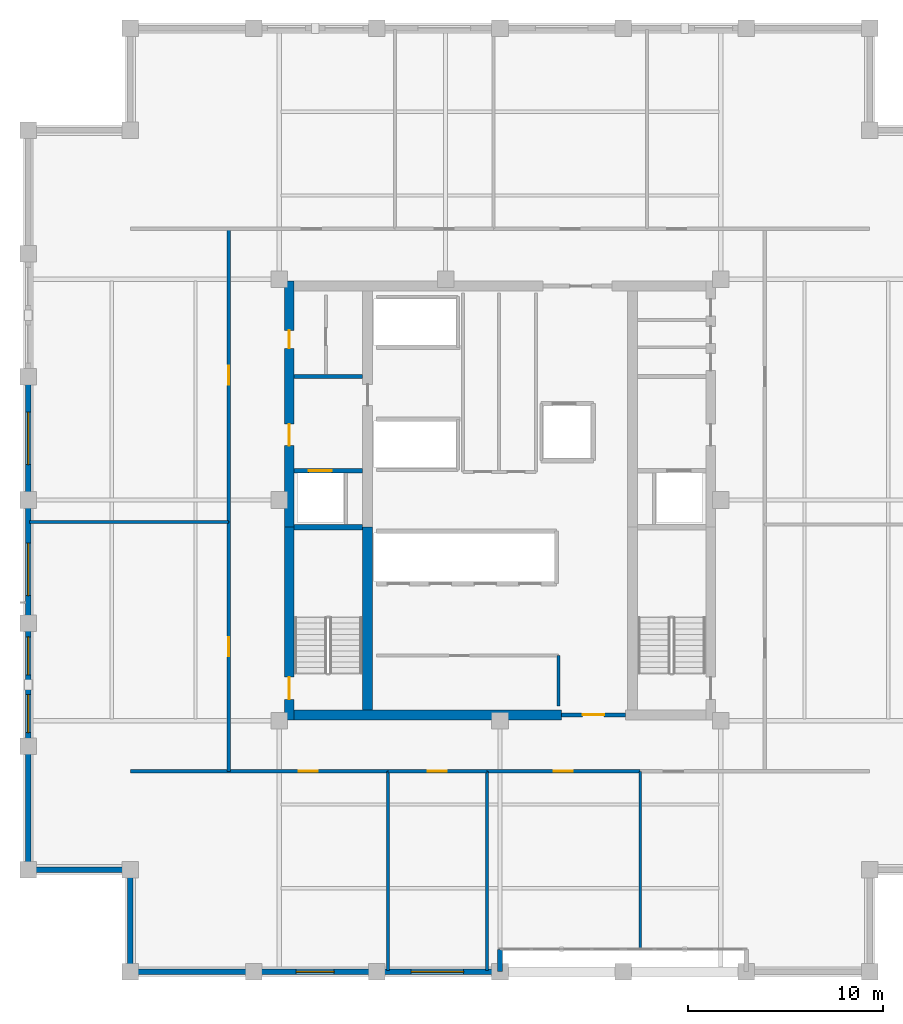
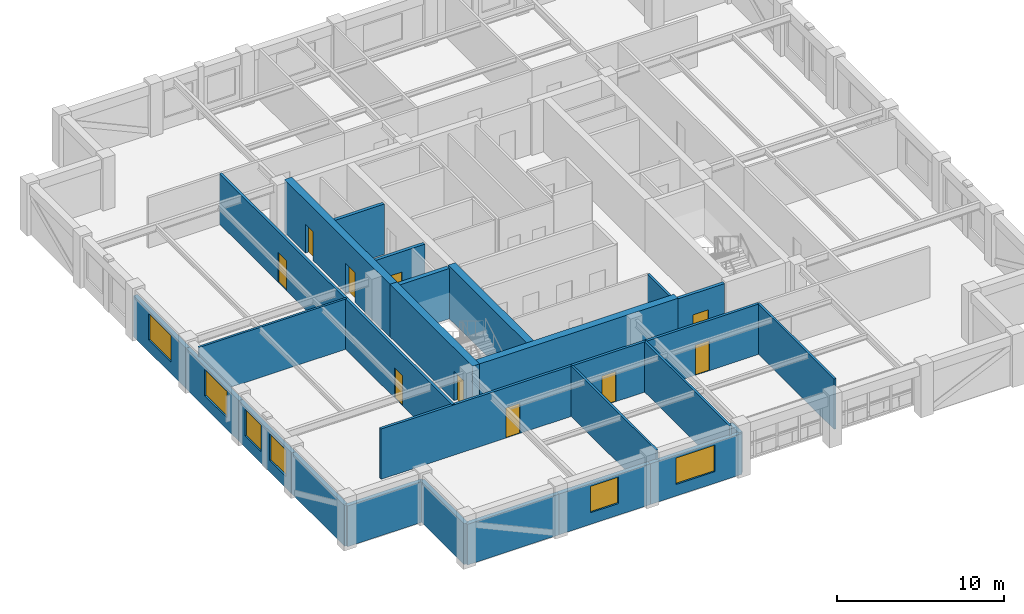
# One storey, part 9 of 13: 28 walls, 10 doors, 6 windows, 16 openings.
"""IFC4 building model written with IfcOpenShell, lengths in metres."""

from ifc_helpers import new_model, si_unit, direction, frame, frame_2d, origin, place, context, subcontext, project, spatial, rectangle, extrude, material, layer, layer_set, type_object, element, fill, save


model = new_model("IFC4")

# Units and contexts
model_context = context("Model", 3, precision=1e-05, world=origin(), true_north=direction((0.0, 1.0)))
body_context = subcontext(model_context, "Body", "Model", "MODEL_VIEW")
ifc_project = project(units=[si_unit("LENGTHUNIT", "METRE"), si_unit("AREAUNIT", "SQUARE_METRE"), si_unit("VOLUMEUNIT", "CUBIC_METRE"), si_unit("PLANEANGLEUNIT", "RADIAN"), si_unit("MASSUNIT", "GRAM", prefix="KILO")], contexts=[model_context])

# Site, building, storey
site_placement = place(None, origin())
site = spatial("IfcSite", under=ifc_project, at=site_placement, CompositionType="ELEMENT")
building_placement = place(site_placement, origin())
building = spatial("IfcBuilding", under=site, at=building_placement, Name="Nhamokura Convention Tower", CompositionType="ELEMENT")
storey_placement = place(building_placement, frame((0.0, 0.0, 206.14990234375)))
storey = spatial("IfcBuildingStorey", under=building, at=storey_placement, Name="L50", CompositionType="ELEMENT", Elevation=206.14990234375)

# Walls
ifc_material_1 = material(Name="Bronze-pigmented precast concrete C45/55", Category="concrete")
ifc_layer_1 = layer(ifc_material_1, 0.280029296875)
ifc_layer_set_1 = layer_set([ifc_layer_1], Name="BronzePrecastSpandrel_280")
wall_type_1 = type_object("IfcWallType", Name="BronzePrecastSpandrel_280", PredefinedType="USERDEFINED", material=ifc_layer_set_1)
wall_1_placement = place(storey_placement, frame((32.0, 7.75, 0.0), z_axis=(0.0, 0.0, 1.0), x_axis=(0.0, 1.0, 0.0)))
element("IfcWall", 1, at=wall_1_placement, inside=storey, type_object=wall_type_1, Name="L50 Scale Slot Cheek Wall SOUTHA", ObjectType="SPANDREL_WALL", PredefinedType="USERDEFINED", context=body_context, shape_type="SweptSolid", body=[
    extrude(rectangle(XDim=1.14990234375, YDim=0.239990234375, at=frame_2d((0.574951171875, 0.0))), origin(), (0.0, 0.0, 1.0), 2.985107421875),
])
wall_2_placement = place(storey_placement, frame((19.333251953125, 7.75, 0.0), z_axis=(0.0, 0.0, 1.0), x_axis=(-1.0, 0.0, 0.0)))
element("IfcWall", 2, at=wall_2_placement, inside=storey, type_object=wall_type_1, Name="L50 Braced-Bay Precast Wall SOUTH 0", ObjectType="SPANDREL_WALL", PredefinedType="USERDEFINED", context=body_context, shape_type="SweptSolid", body=[
    extrude(rectangle(XDim=6.333251953125, YDim=0.280029296875, at=frame_2d((3.16650390625, 0.0))), origin(), (0.0, 0.0, 1.0), 2.985107421875),
])

# Wall, opening, window
wall_3_placement = place(storey_placement, frame((25.666748046875, 7.75, 0.0), z_axis=(0.0, 0.0, 1.0), x_axis=(-1.0, 0.0, 0.0)))
wall_3 = element("IfcWall", 3, at=wall_3_placement, inside=storey, type_object=wall_type_1, Name="L50 Masonry-Frame Wall SOUTH 1", ObjectType="SPANDREL_WALL", PredefinedType="USERDEFINED", context=body_context, shape_type="SweptSolid", body=[
    extrude(rectangle(XDim=6.33349609375, YDim=0.280029296875, at=frame_2d((3.166748046875, 0.0))), origin(), (0.0, 0.0, 1.0), 2.985107421875),
])
opening_1_placement = place(wall_3_placement, frame((2.191650390625, 0.0, 0.85009765625)))
opening_1 = element("IfcOpeningElement", 4, at=opening_1_placement, cuts=wall_3, Name="Opening W-08", PredefinedType="OPENING", context=body_context, shape_type="SweptSolid", body=[
    extrude(rectangle(XDim=1.949951171875, YDim=1.93505859375, at=frame_2d((0.97509765625, 0.967529296875))), frame((0.0, 0.14990234375, 0.0), z_axis=(0.0, -1.0, 0.0), x_axis=(1.0, 0.0, 0.0)), (0.0, 0.0, 1.0), 0.300048828125),
])
ifc_material_2 = material(Name="Solar-control bronze low-E double glass", Category="glass")
window_type_1 = type_object("IfcWindowType", Name="OfficeModuleWindow_Z3_1950", PartitioningType="SINGLE_PANEL", PredefinedType="WINDOW", material=ifc_material_2)
window_1_placement = place(opening_1_placement, origin())
window_1 = element("IfcWindow", 5, at=window_1_placement, inside=storey, type_object=window_type_1, Name="L50 Facade Window SOUTH 1", OverallHeight=1.93505859375, OverallWidth=1.949951171875, PartitioningType="SINGLE_PANEL", PredefinedType="WINDOW", context=body_context, shape_type="SweptSolid", body=[
    extrude(rectangle(XDim=1.949951171875, YDim=1.93505859375, at=frame_2d((0.97509765625, 0.967529296875))), frame((0.0, 0.030029296875, 0.0), z_axis=(0.0, -1.0, 0.0), x_axis=(1.0, 0.0, 0.0)), (0.0, 0.0, 1.0), 0.06005859375),
])
fill(opening_1, window_1)

wall_4_placement = place(storey_placement, frame((32.0, 7.75, 0.0), z_axis=(0.0, 0.0, 1.0), x_axis=(-1.0, 0.0, 0.0)))
wall_4 = element("IfcWall", 6, at=wall_4_placement, inside=storey, type_object=wall_type_1, Name="L50 Masonry-Frame Wall SOUTH 2", ObjectType="SPANDREL_WALL", PredefinedType="USERDEFINED", context=body_context, shape_type="SweptSolid", body=[
    extrude(rectangle(XDim=6.333251953125, YDim=0.280029296875, at=frame_2d((3.16650390625, 0.0))), origin(), (0.0, 0.0, 1.0), 2.985107421875),
])
opening_2_placement = place(wall_4_placement, frame((1.86669921875, 0.0, 0.85009765625)))
opening_2 = element("IfcOpeningElement", 7, at=opening_2_placement, cuts=wall_4, Name="Opening W-07", PredefinedType="OPENING", context=body_context, shape_type="SweptSolid", body=[
    extrude(rectangle(XDim=2.699951171875, YDim=1.93505859375, at=frame_2d((1.35009765625, 0.967529296875))), frame((0.0, 0.14990234375, 0.0), z_axis=(0.0, -1.0, 0.0), x_axis=(1.0, 0.0, 0.0)), (0.0, 0.0, 1.0), 0.300048828125),
])
ifc_material_3 = material(Name="Solar-control bronze low-E double glass", Category="glass")
window_type_2 = type_object("IfcWindowType", Name="OfficeModuleWindow_Z3_2700", PartitioningType="DOUBLE_PANEL_VERTICAL", PredefinedType="WINDOW", material=ifc_material_3)
window_2_placement = place(opening_2_placement, origin())
window_2 = element("IfcWindow", 8, at=window_2_placement, inside=storey, type_object=window_type_2, Name="L50 Facade Window SOUTH 2", OverallHeight=1.93505859375, OverallWidth=2.699951171875, PartitioningType="SINGLE_PANEL", PredefinedType="WINDOW", context=body_context, shape_type="SweptSolid", body=[
    extrude(rectangle(XDim=2.699951171875, YDim=1.93505859375, at=frame_2d((1.35009765625, 0.967529296875))), frame((0.0, 0.030029296875, 0.0), z_axis=(0.0, -1.0, 0.0), x_axis=(1.0, 0.0, 0.0)), (0.0, 0.0, 1.0), 0.06005859375),
])
fill(opening_2, window_2)

# Wall
wall_5_placement = place(storey_placement, frame((7.75, 13.0, 0.0), z_axis=(0.0, 0.0, 1.0), x_axis=(0.0, 1.0, 0.0)))
element("IfcWall", 9, at=wall_5_placement, inside=storey, type_object=wall_type_1, Name="L50 Braced-Bay Precast Wall WEST 0", ObjectType="SPANDREL_WALL", PredefinedType="USERDEFINED", context=body_context, shape_type="SweptSolid", body=[
    extrude(rectangle(XDim=6.333251953125, YDim=0.280029296875, at=frame_2d((3.16650390625, 0.0))), origin(), (0.0, 0.0, 1.0), 2.985107421875),
])

# Wall, openings, windows
wall_6_placement = place(storey_placement, frame((7.75, 19.333251953125, 0.0), z_axis=(0.0, 0.0, 1.0), x_axis=(0.0, 1.0, 0.0)))
wall_6 = element("IfcWall", 10, at=wall_6_placement, inside=storey, type_object=wall_type_1, Name="L50 Masonry-Frame Wall WEST 1", ObjectType="SPANDREL_WALL", PredefinedType="USERDEFINED", context=body_context, shape_type="SweptSolid", body=[
    extrude(rectangle(XDim=6.33349609375, YDim=0.280029296875, at=frame_2d((3.166748046875, 0.0))), origin(), (0.0, 0.0, 1.0), 2.985107421875),
])
opening_3_placement = place(wall_6_placement, frame((0.708251953125, 0.0, 0.85009765625)))
opening_3 = element("IfcOpeningElement", 11, at=opening_3_placement, cuts=wall_6, Name="Opening W-08", PredefinedType="OPENING", context=body_context, shape_type="SweptSolid", body=[
    extrude(rectangle(XDim=1.949951171875, YDim=1.93505859375, at=frame_2d((0.97509765625, 0.967529296875))), frame((0.0, 0.14990234375, 0.0), z_axis=(0.0, -1.0, 0.0), x_axis=(1.0, 0.0, 0.0)), (0.0, 0.0, 1.0), 0.300048828125),
])
opening_4_placement = place(wall_6_placement, frame((3.675048828125, 0.0, 0.85009765625)))
opening_4 = element("IfcOpeningElement", 12, at=opening_4_placement, cuts=wall_6, Name="Opening W-08", PredefinedType="OPENING", context=body_context, shape_type="SweptSolid", body=[
    extrude(rectangle(XDim=1.949951171875, YDim=1.93505859375, at=frame_2d((0.97509765625, 0.967529296875))), frame((0.0, 0.14990234375, 0.0), z_axis=(0.0, -1.0, 0.0), x_axis=(1.0, 0.0, 0.0)), (0.0, 0.0, 1.0), 0.300048828125),
])
window_3_placement = place(opening_3_placement, origin())
window_3 = element("IfcWindow", 13, at=window_3_placement, inside=storey, type_object=window_type_1, Name="L50 Facade Window WEST 1-1", OverallHeight=1.93505859375, OverallWidth=1.949951171875, PartitioningType="SINGLE_PANEL", PredefinedType="WINDOW", context=body_context, shape_type="SweptSolid", body=[
    extrude(rectangle(XDim=1.949951171875, YDim=1.93505859375, at=frame_2d((0.97509765625, 0.967529296875))), frame((0.0, 0.030029296875, 0.0), z_axis=(0.0, -1.0, 0.0), x_axis=(1.0, 0.0, 0.0)), (0.0, 0.0, 1.0), 0.06005859375),
])
fill(opening_3, window_3)
window_4_placement = place(opening_4_placement, origin())
window_4 = element("IfcWindow", 14, at=window_4_placement, inside=storey, type_object=window_type_1, Name="L50 Facade Window WEST 1-2", OverallHeight=1.93505859375, OverallWidth=1.949951171875, PartitioningType="SINGLE_PANEL", PredefinedType="WINDOW", context=body_context, shape_type="SweptSolid", body=[
    extrude(rectangle(XDim=1.949951171875, YDim=1.93505859375, at=frame_2d((0.97509765625, 0.967529296875))), frame((0.0, 0.030029296875, 0.0), z_axis=(0.0, -1.0, 0.0), x_axis=(1.0, 0.0, 0.0)), (0.0, 0.0, 1.0), 0.06005859375),
])
fill(opening_4, window_4)

# Wall, opening, window
wall_7_placement = place(storey_placement, frame((7.75, 25.666748046875, 0.0), z_axis=(0.0, 0.0, 1.0), x_axis=(0.0, 1.0, 0.0)))
wall_7 = element("IfcWall", 15, at=wall_7_placement, inside=storey, type_object=wall_type_1, Name="L50 Masonry-Frame Wall WEST 2", ObjectType="SPANDREL_WALL", PredefinedType="USERDEFINED", context=body_context, shape_type="SweptSolid", body=[
    extrude(rectangle(XDim=6.333251953125, YDim=0.280029296875, at=frame_2d((3.16650390625, 0.0))), origin(), (0.0, 0.0, 1.0), 2.985107421875),
])
opening_5_placement = place(wall_7_placement, frame((1.416748046875, 0.0, 0.85009765625)))
opening_5 = element("IfcOpeningElement", 16, at=opening_5_placement, cuts=wall_7, Name="Opening W-07", PredefinedType="OPENING", context=body_context, shape_type="SweptSolid", body=[
    extrude(rectangle(XDim=2.699951171875, YDim=1.93505859375, at=frame_2d((1.35009765625, 0.967529296875))), frame((0.0, 0.14990234375, 0.0), z_axis=(0.0, -1.0, 0.0), x_axis=(1.0, 0.0, 0.0)), (0.0, 0.0, 1.0), 0.300048828125),
])
window_5_placement = place(opening_5_placement, origin())
window_5 = element("IfcWindow", 17, at=window_5_placement, inside=storey, type_object=window_type_2, Name="L50 Facade Window WEST 2-1", OverallHeight=1.93505859375, OverallWidth=2.699951171875, PartitioningType="SINGLE_PANEL", PredefinedType="WINDOW", context=body_context, shape_type="SweptSolid", body=[
    extrude(rectangle(XDim=2.699951171875, YDim=1.93505859375, at=frame_2d((1.35009765625, 0.967529296875))), frame((0.0, 0.030029296875, 0.0), z_axis=(0.0, -1.0, 0.0), x_axis=(1.0, 0.0, 0.0)), (0.0, 0.0, 1.0), 0.06005859375),
])
fill(opening_5, window_5)

wall_8_placement = place(storey_placement, frame((7.75, 32.0, 0.0), z_axis=(0.0, 0.0, 1.0), x_axis=(0.0, 1.0, 0.0)))
wall_8 = element("IfcWall", 18, at=wall_8_placement, inside=storey, type_object=wall_type_1, Name="L50 Masonry-Frame Wall WEST 3", ObjectType="SPANDREL_WALL", PredefinedType="USERDEFINED", context=body_context, shape_type="SweptSolid", body=[
    extrude(rectangle(XDim=6.333251953125, YDim=0.280029296875, at=frame_2d((3.16650390625, 0.0))), origin(), (0.0, 0.0, 1.0), 2.985107421875),
])
opening_6_placement = place(wall_8_placement, frame((1.816650390625, 0.0, 0.85009765625)))
opening_6 = element("IfcOpeningElement", 19, at=opening_6_placement, cuts=wall_8, Name="Opening W-07", PredefinedType="OPENING", context=body_context, shape_type="SweptSolid", body=[
    extrude(rectangle(XDim=2.699951171875, YDim=1.93505859375, at=frame_2d((1.35009765625, 0.967529296875))), frame((0.0, 0.14990234375, 0.0), z_axis=(0.0, -1.0, 0.0), x_axis=(1.0, 0.0, 0.0)), (0.0, 0.0, 1.0), 0.300048828125),
])
window_6_placement = place(opening_6_placement, origin())
window_6 = element("IfcWindow", 20, at=window_6_placement, inside=storey, type_object=window_type_2, Name="L50 Facade Window WEST 3", OverallHeight=1.93505859375, OverallWidth=2.699951171875, PartitioningType="SINGLE_PANEL", PredefinedType="WINDOW", context=body_context, shape_type="SweptSolid", body=[
    extrude(rectangle(XDim=2.699951171875, YDim=1.93505859375, at=frame_2d((1.35009765625, 0.967529296875))), frame((0.0, 0.030029296875, 0.0), z_axis=(0.0, -1.0, 0.0), x_axis=(1.0, 0.0, 0.0)), (0.0, 0.0, 1.0), 0.06005859375),
])
fill(opening_6, window_6)

# Walls
for number, where, z_axis, x_axis, name in (
    (21, (13.0, 7.75, 0.0), (0.0, 0.0, 1.0), (0.0, 1.0, 0.0), "L50 Notched Corner Wall SW1"),
    (22, (13.0, 13.0, 0.0), (0.0, 0.0, 1.0), (-1.0, 0.0, 0.0), "L50 Notched Corner Wall SW2"),
):
    element("IfcWall", number, at=place(storey_placement, frame(where, z_axis=z_axis, x_axis=x_axis)), inside=storey, type_object=wall_type_1, Name=name, ObjectType="SPANDREL_WALL", PredefinedType="USERDEFINED", context=body_context, shape_type="SweptSolid", body=[
        extrude(rectangle(XDim=5.25, YDim=0.280029296875, at=frame_2d((2.625, 0.0))), origin(), (0.0, 0.0, 1.0), 2.985107421875),
    ])

# Wall, opening, door
ifc_material_4 = material(Name="Concrete C60/75", Category="concrete")
ifc_layer_2 = layer(ifc_material_4, 0.5)
ifc_layer_set_2 = layer_set([ifc_layer_2], Name="CoreShearWall_500")
wall_type_2 = type_object("IfcWallType", Name="CoreShearWall_500", PredefinedType="SHEAR", material=ifc_layer_set_2)
wall_9_placement = place(storey_placement, frame((21.159912109375, 20.699951171875, 0.0), z_axis=(0.0, 0.0, 1.0), x_axis=(0.0, 1.0, 0.0)))
wall_9 = element("IfcWall", 23, at=wall_9_placement, inside=storey, type_object=wall_type_2, Name="L50 Core Shear Wall CW-WS", PredefinedType="SHEAR", context=body_context, shape_type="SweptSolid", body=[
    extrude(rectangle(XDim=9.900146484375, YDim=0.5, at=frame_2d((4.9501953125, 0.0))), origin(), (0.0, 0.0, 1.0), 3.85009765625),
])
opening_7_placement = place(wall_9_placement, frame((1.050048828125, 0.0, 0.0)))
opening_7 = element("IfcOpeningElement", 24, at=opening_7_placement, cuts=wall_9, Name="Opening D-04", PredefinedType="OPENING", context=body_context, shape_type="SweptSolid", body=[
    extrude(rectangle(XDim=1.14990234375, YDim=2.14990234375, at=frame_2d((0.574951171875, 1.074951171875))), frame((0.0, 0.260009765625, 0.0), z_axis=(0.0, -1.0, 0.0), x_axis=(1.0, 0.0, 0.0)), (0.0, 0.0, 1.0), 0.52001953125),
])
ifc_material_5 = material(Name="Fire-rated steel door", Category="steel")
door_type_1 = type_object("IfcDoorType", Name="StairSmokeDoor_1150", OperationType="NOTDEFINED", PredefinedType="DOOR", material=ifc_material_5)
door_1_placement = place(opening_7_placement, origin())
door_1 = element("IfcDoor", 25, at=door_1_placement, inside=storey, type_object=door_type_1, Name="L50 Core Door INT-L50-D-ST01", OperationType="SINGLE_SWING_LEFT", OverallHeight=2.14990234375, OverallWidth=1.14990234375, PredefinedType="DOOR", context=body_context, shape_type="SweptSolid", body=[
    extrude(rectangle(XDim=1.14990234375, YDim=2.14990234375, at=frame_2d((0.574951171875, 1.074951171875))), frame((0.0, 0.02490234375, 0.0), z_axis=(0.0, -1.0, 0.0), x_axis=(1.0, 0.0, 0.0)), (0.0, 0.0, 1.0), 0.050048828125),
])
fill(opening_7, door_1)

# Wall, openings, doors
wall_10_placement = place(storey_placement, frame((21.159912109375, 30.60009765625, 0.0), z_axis=(0.0, 0.0, 1.0), x_axis=(0.0, 1.0, 0.0)))
wall_10 = element("IfcWall", 26, at=wall_10_placement, inside=storey, type_object=wall_type_2, Name="L50 Core Shear Wall CW-WN", PredefinedType="SHEAR", context=body_context, shape_type="SweptSolid", body=[
    extrude(rectangle(XDim=12.64990234375, YDim=0.5, at=frame_2d((6.324951171875, 0.0))), origin(), (0.0, 0.0, 1.0), 3.85009765625),
])
opening_8_placement = place(wall_10_placement, frame((4.199951171875, 0.0, 0.0)))
opening_8 = element("IfcOpeningElement", 27, at=opening_8_placement, cuts=wall_10, Name="Opening D-05", PredefinedType="OPENING", context=body_context, shape_type="SweptSolid", body=[
    extrude(rectangle(XDim=1.10009765625, YDim=2.14990234375, at=frame_2d((0.550048828125, 1.074951171875))), frame((0.0, 0.260009765625, 0.0), z_axis=(0.0, -1.0, 0.0), x_axis=(1.0, 0.0, 0.0)), (0.0, 0.0, 1.0), 0.52001953125),
])
opening_9_placement = place(wall_10_placement, frame((9.199951171875, 0.0, 0.0)))
opening_9 = element("IfcOpeningElement", 28, at=opening_9_placement, cuts=wall_10, Name="Opening D-10", PredefinedType="OPENING", context=body_context, shape_type="SweptSolid", body=[
    extrude(rectangle(XDim=0.919921875, YDim=2.10009765625, at=frame_2d((0.4599609375, 1.050048828125))), frame((0.0, 0.260009765625, 0.0), z_axis=(0.0, -1.0, 0.0), x_axis=(1.0, 0.0, 0.0)), (0.0, 0.0, 1.0), 0.52001953125),
])
ifc_material_6 = material(Name="Solid oak hardwood", Category="wood")
door_type_2 = type_object("IfcDoorType", Name="AccessibleWCDoor_920", OperationType="NOTDEFINED", PredefinedType="DOOR", material=ifc_material_6)
door_2_placement = place(opening_9_placement, origin())
door_2 = element("IfcDoor", 29, at=door_2_placement, inside=storey, type_object=door_type_2, Name="L50 Core Door INT-L50-D-AWCW", OperationType="SINGLE_SWING_RIGHT", OverallHeight=2.10009765625, OverallWidth=0.919921875, PredefinedType="DOOR", context=body_context, shape_type="SweptSolid", body=[
    extrude(rectangle(XDim=0.919921875, YDim=2.10009765625, at=frame_2d((0.4599609375, 1.050048828125))), frame((0.0, 0.02490234375, 0.0), z_axis=(0.0, -1.0, 0.0), x_axis=(1.0, 0.0, 0.0)), (0.0, 0.0, 1.0), 0.050048828125),
])
fill(opening_9, door_2)
ifc_material_7 = material(Name="Fire-rated steel door", Category="steel")
door_type_3 = type_object("IfcDoorType", Name="FireLobbyDoor_1100", OperationType="NOTDEFINED", PredefinedType="DOOR", material=ifc_material_7)
door_3_placement = place(opening_8_placement, origin())
door_3 = element("IfcDoor", 30, at=door_3_placement, inside=storey, type_object=door_type_3, Name="L50 Core Door INT-L50-D-FFLW", OperationType="SINGLE_SWING_RIGHT", OverallHeight=2.14990234375, OverallWidth=1.10009765625, PredefinedType="DOOR", context=body_context, shape_type="SweptSolid", body=[
    extrude(rectangle(XDim=1.10009765625, YDim=2.14990234375, at=frame_2d((0.550048828125, 1.074951171875))), frame((0.0, 0.02490234375, 0.0), z_axis=(0.0, -1.0, 0.0), x_axis=(1.0, 0.0, 0.0)), (0.0, 0.0, 1.0), 0.050048828125),
])
fill(opening_8, door_3)

# Walls
wall_11_placement = place(storey_placement, frame((21.409912109375, 20.949951171875, 0.0), z_axis=(0.0, 0.0, 1.0), x_axis=(1.0, 0.0, 0.0)))
element("IfcWall", 31, at=wall_11_placement, inside=storey, type_object=wall_type_2, Name="L50 Core Shear Wall CW-S1", PredefinedType="SHEAR", context=body_context, shape_type="SweptSolid", body=[
    extrude(rectangle(XDim=13.739990234375, YDim=0.5, at=frame_2d((6.8701171875, 0.0))), origin(), (0.0, 0.0, 1.0), 3.85009765625),
])
wall_12_placement = place(storey_placement, frame((25.18994140625, 21.199951171875, 0.0), z_axis=(0.0, 0.0, 1.0), x_axis=(0.0, 1.0, 0.0)))
element("IfcWall", 32, at=wall_12_placement, inside=storey, type_object=wall_type_2, Name="L50 Core Shear Wall CW-IWS", PredefinedType="SHEAR", context=body_context, shape_type="SweptSolid", body=[
    extrude(rectangle(XDim=9.400146484375, YDim=0.5, at=frame_2d((4.7001953125, 0.0))), origin(), (0.0, 0.0, 1.0), 3.85009765625),
])

# Wall, opening, door
ifc_material_8 = material(Name="Fire-rated gypsum and masonry partition", Category="masonry")
ifc_layer_3 = layer(ifc_material_8, 0.179931640625)
ifc_layer_set_3 = layer_set([ifc_layer_3], Name="CorridorRatedWall_180")
wall_type_3 = type_object("IfcWallType", Name="CorridorRatedWall_180", PredefinedType="STANDARD", material=ifc_layer_set_3)
wall_13_placement = place(storey_placement, frame((13.0, 18.050048828125, 0.0), z_axis=(0.0, 0.0, 1.0), x_axis=(1.0, 0.0, 0.0)))
wall_13 = element("IfcWall", 33, at=wall_13_placement, inside=storey, type_object=wall_type_3, Name="L50 Wall INT-L50-CW-S00", PredefinedType="STANDARD", context=body_context, shape_type="SweptSolid", body=[
    extrude(rectangle(XDim=13.24169921875, YDim=0.179931640625, at=frame_2d((6.620849609375, 0.0))), origin(), (0.0, 0.0, 1.0), 3.68505859375),
])
opening_10_placement = place(wall_13_placement, frame((8.64599609375, 0.0, 0.0)))
opening_10 = element("IfcOpeningElement", 34, at=opening_10_placement, cuts=wall_13, Name="Opening D-08", PredefinedType="OPENING", context=body_context, shape_type="SweptSolid", body=[
    extrude(rectangle(XDim=0.97998046875, YDim=2.199951171875, at=frame_2d((0.489990234375, 1.10009765625))), frame((0.0, 0.099853515625, 0.0), z_axis=(0.0, -1.0, 0.0), x_axis=(1.0, 0.0, 0.0)), (0.0, 0.0, 1.0), 0.199951171875),
])
ifc_material_9 = material(Name="Solid oak hardwood", Category="wood")
door_type_4 = type_object("IfcDoorType", Name="OfficeEntryDoor_980", OperationType="NOTDEFINED", PredefinedType="DOOR", material=ifc_material_9)
door_4_placement = place(opening_10_placement, origin())
door_4 = element("IfcDoor", 35, at=door_4_placement, inside=storey, type_object=door_type_4, Name="L50 Private Office S01 Door", OperationType="SINGLE_SWING_LEFT", OverallHeight=2.199951171875, OverallWidth=0.97998046875, PredefinedType="DOOR", context=body_context, shape_type="SweptSolid", body=[
    extrude(rectangle(XDim=0.97998046875, YDim=2.199951171875, at=frame_2d((0.489990234375, 1.10009765625))), frame((0.0, 0.02490234375, 0.0), z_axis=(0.0, -1.0, 0.0), x_axis=(1.0, 0.0, 0.0)), (0.0, 0.0, 1.0), 0.050048828125),
])
fill(opening_10, door_4)

wall_14_placement = place(storey_placement, frame((26.24169921875, 18.050048828125, 0.0), z_axis=(0.0, 0.0, 1.0), x_axis=(1.0, 0.0, 0.0)))
wall_14 = element("IfcWall", 36, at=wall_14_placement, inside=storey, type_object=wall_type_3, Name="L50 Wall INT-L50-CW-S01", PredefinedType="STANDARD", context=body_context, shape_type="SweptSolid", body=[
    extrude(rectangle(XDim=5.083251953125, YDim=0.179931640625, at=frame_2d((2.54150390625, 0.0))), origin(), (0.0, 0.0, 1.0), 3.68505859375),
])
opening_11_placement = place(wall_14_placement, frame((2.04150390625, 0.0, 0.0)))
opening_11 = element("IfcOpeningElement", 37, at=opening_11_placement, cuts=wall_14, Name="Opening D-08", PredefinedType="OPENING", context=body_context, shape_type="SweptSolid", body=[
    extrude(rectangle(XDim=0.97998046875, YDim=2.199951171875, at=frame_2d((0.489990234375, 1.10009765625))), frame((0.0, 0.099853515625, 0.0), z_axis=(0.0, -1.0, 0.0), x_axis=(1.0, 0.0, 0.0)), (0.0, 0.0, 1.0), 0.199951171875),
])
door_5_placement = place(opening_11_placement, origin())
door_5 = element("IfcDoor", 38, at=door_5_placement, inside=storey, type_object=door_type_4, Name="L50 Private Office S02 Door", OperationType="SINGLE_SWING_RIGHT", OverallHeight=2.199951171875, OverallWidth=0.97998046875, PredefinedType="DOOR", context=body_context, shape_type="SweptSolid", body=[
    extrude(rectangle(XDim=0.97998046875, YDim=2.199951171875, at=frame_2d((0.489990234375, 1.10009765625))), frame((0.0, 0.02490234375, 0.0), z_axis=(0.0, -1.0, 0.0), x_axis=(1.0, 0.0, 0.0)), (0.0, 0.0, 1.0), 0.050048828125),
])
fill(opening_11, door_5)

wall_15_placement = place(storey_placement, frame((31.324951171875, 18.050048828125, 0.0), z_axis=(0.0, 0.0, 1.0), x_axis=(1.0, 0.0, 0.0)))
wall_15 = element("IfcWall", 39, at=wall_15_placement, inside=storey, type_object=wall_type_3, Name="L50 Wall INT-L50-CW-S02", PredefinedType="STANDARD", context=body_context, shape_type="SweptSolid", body=[
    extrude(rectangle(XDim=7.88330078125, YDim=0.179931640625, at=frame_2d((3.941650390625, 0.0))), origin(), (0.0, 0.0, 1.0), 3.68505859375),
])
opening_12_placement = place(wall_15_placement, frame((3.441650390625, 0.0, 0.0)))
opening_12 = element("IfcOpeningElement", 40, at=opening_12_placement, cuts=wall_15, Name="Opening D-08", PredefinedType="OPENING", context=body_context, shape_type="SweptSolid", body=[
    extrude(rectangle(XDim=0.97998046875, YDim=2.199951171875, at=frame_2d((0.489990234375, 1.10009765625))), frame((0.0, 0.099853515625, 0.0), z_axis=(0.0, -1.0, 0.0), x_axis=(1.0, 0.0, 0.0)), (0.0, 0.0, 1.0), 0.199951171875),
])
door_6_placement = place(opening_12_placement, origin())
door_6 = element("IfcDoor", 41, at=door_6_placement, inside=storey, type_object=door_type_4, Name="L50 Meeting Room S03 Door", OperationType="SINGLE_SWING_LEFT", OverallHeight=2.199951171875, OverallWidth=0.97998046875, PredefinedType="DOOR", context=body_context, shape_type="SweptSolid", body=[
    extrude(rectangle(XDim=0.97998046875, YDim=2.199951171875, at=frame_2d((0.489990234375, 1.10009765625))), frame((0.0, 0.02490234375, 0.0), z_axis=(0.0, -1.0, 0.0), x_axis=(1.0, 0.0, 0.0)), (0.0, 0.0, 1.0), 0.050048828125),
])
fill(opening_12, door_6)

wall_16_placement = place(storey_placement, frame((18.050048828125, 18.050048828125, 0.0), z_axis=(0.0, 0.0, 1.0), x_axis=(0.0, 1.0, 0.0)))
wall_16 = element("IfcWall", 42, at=wall_16_placement, inside=storey, type_object=wall_type_3, Name="L50 Wall INT-L50-CW-W00", PredefinedType="STANDARD", context=body_context, shape_type="SweptSolid", body=[
    extrude(rectangle(XDim=12.824951171875, YDim=0.179931640625, at=frame_2d((6.41259765625, 0.0))), origin(), (0.0, 0.0, 1.0), 3.68505859375),
])
opening_13_placement = place(wall_16_placement, frame((5.91259765625, 0.0, 0.0)))
opening_13 = element("IfcOpeningElement", 43, at=opening_13_placement, cuts=wall_16, Name="Opening D-08", PredefinedType="OPENING", context=body_context, shape_type="SweptSolid", body=[
    extrude(rectangle(XDim=0.97998046875, YDim=2.199951171875, at=frame_2d((0.489990234375, 1.10009765625))), frame((0.0, 0.099853515625, 0.0), z_axis=(0.0, -1.0, 0.0), x_axis=(1.0, 0.0, 0.0)), (0.0, 0.0, 1.0), 0.199951171875),
])
door_7_placement = place(opening_13_placement, origin())
door_7 = element("IfcDoor", 44, at=door_7_placement, inside=storey, type_object=door_type_4, Name="L50 Private Office W01 Door", OperationType="SINGLE_SWING_LEFT", OverallHeight=2.199951171875, OverallWidth=0.97998046875, PredefinedType="DOOR", context=body_context, shape_type="SweptSolid", body=[
    extrude(rectangle(XDim=0.97998046875, YDim=2.199951171875, at=frame_2d((0.489990234375, 1.10009765625))), frame((0.0, 0.02490234375, 0.0), z_axis=(0.0, -1.0, 0.0), x_axis=(1.0, 0.0, 0.0)), (0.0, 0.0, 1.0), 0.050048828125),
])
fill(opening_13, door_7)

wall_17_placement = place(storey_placement, frame((18.050048828125, 30.875, 0.0), z_axis=(0.0, 0.0, 1.0), x_axis=(0.0, 1.0, 0.0)))
wall_17 = element("IfcWall", 45, at=wall_17_placement, inside=storey, type_object=wall_type_3, Name="L50 Wall INT-L50-CW-W01", PredefinedType="STANDARD", context=body_context, shape_type="SweptSolid", body=[
    extrude(rectangle(XDim=15.074951171875, YDim=0.179931640625, at=frame_2d((7.53759765625, 0.0))), origin(), (0.0, 0.0, 1.0), 3.68505859375),
])
opening_14_placement = place(wall_17_placement, frame((7.03759765625, 0.0, 0.0)))
opening_14 = element("IfcOpeningElement", 46, at=opening_14_placement, cuts=wall_17, Name="Opening D-08", PredefinedType="OPENING", context=body_context, shape_type="SweptSolid", body=[
    extrude(rectangle(XDim=0.97998046875, YDim=2.199951171875, at=frame_2d((0.489990234375, 1.10009765625))), frame((0.0, 0.099853515625, 0.0), z_axis=(0.0, -1.0, 0.0), x_axis=(1.0, 0.0, 0.0)), (0.0, 0.0, 1.0), 0.199951171875),
])
door_8_placement = place(opening_14_placement, origin())
door_8 = element("IfcDoor", 47, at=door_8_placement, inside=storey, type_object=door_type_4, Name="L50 Reception Lounge W02 Door", OperationType="SINGLE_SWING_RIGHT", OverallHeight=2.199951171875, OverallWidth=0.97998046875, PredefinedType="DOOR", context=body_context, shape_type="SweptSolid", body=[
    extrude(rectangle(XDim=0.97998046875, YDim=2.199951171875, at=frame_2d((0.489990234375, 1.10009765625))), frame((0.0, 0.02490234375, 0.0), z_axis=(0.0, -1.0, 0.0), x_axis=(1.0, 0.0, 0.0)), (0.0, 0.0, 1.0), 0.050048828125),
])
fill(opening_14, door_8)

ifc_material_10 = material(Name="Autoclaved concrete blockwork", Category="masonry")
ifc_layer_4 = layer(ifc_material_10, 0.219970703125)
ifc_layer_set_4 = layer_set([ifc_layer_4], Name="FireLobbyWall_220")
wall_type_4 = type_object("IfcWallType", Name="FireLobbyWall_220", PredefinedType="STANDARD", material=ifc_layer_set_4)
wall_18_placement = place(storey_placement, frame((21.409912109375, 33.5, 0.0), z_axis=(0.0, 0.0, 1.0), x_axis=(1.0, 0.0, 0.0)))
wall_18 = element("IfcWall", 48, at=wall_18_placement, inside=storey, type_object=wall_type_4, Name="L50 Wall INT-L50-FFW-S", PredefinedType="STANDARD", context=body_context, shape_type="SweptSolid", body=[
    extrude(rectangle(XDim=3.530029296875, YDim=0.219970703125, at=frame_2d((1.76513671875, 0.0))), origin(), (0.0, 0.0, 1.0), 3.68505859375),
])
opening_15_placement = place(wall_18_placement, frame((0.75, 0.0, 0.0)))
opening_15 = element("IfcOpeningElement", 49, at=opening_15_placement, cuts=wall_18, Name="Opening LD-02", PredefinedType="OPENING", context=body_context, shape_type="SweptSolid", body=[
    extrude(rectangle(XDim=1.199951171875, YDim=2.199951171875, at=frame_2d((0.60009765625, 1.10009765625))), frame((0.0, 0.119873046875, 0.0), z_axis=(0.0, -1.0, 0.0), x_axis=(1.0, 0.0, 0.0)), (0.0, 0.0, 1.0), 0.239990234375),
])
ifc_material_11 = material(Name="Anodised bronze stainless steel", Category="steel")
door_type_5 = type_object("IfcDoorType", Name="LiftLandingDoor_FireService", OperationType="DOUBLE_DOOR_SLIDING", PredefinedType="DOOR", material=ifc_material_11)
door_9_placement = place(opening_15_placement, origin())
door_9 = element("IfcDoor", 50, at=door_9_placement, inside=storey, type_object=door_type_5, Name="L50 Firefighting Lift LF-01 Door", OperationType="DOUBLE_DOOR_SLIDING", OverallHeight=2.199951171875, OverallWidth=1.199951171875, PredefinedType="DOOR", context=body_context, shape_type="SweptSolid", body=[
    extrude(rectangle(XDim=1.199951171875, YDim=2.199951171875, at=frame_2d((0.60009765625, 1.10009765625))), frame((0.0, 0.02490234375, 0.0), z_axis=(0.0, -1.0, 0.0), x_axis=(1.0, 0.0, 0.0)), (0.0, 0.0, 1.0), 0.050048828125),
])
fill(opening_15, door_9)

# Wall
wall_19_placement = place(storey_placement, frame((21.409912109375, 38.35009765625, 0.0), z_axis=(0.0, 0.0, 1.0), x_axis=(1.0, 0.0, 0.0)))
element("IfcWall", 51, at=wall_19_placement, inside=storey, type_object=wall_type_4, Name="L50 Wall INT-L50-FFW-N", PredefinedType="STANDARD", context=body_context, shape_type="SweptSolid", body=[
    extrude(rectangle(XDim=3.530029296875, YDim=0.219970703125, at=frame_2d((1.76513671875, 0.0))), origin(), (0.0, 0.0, 1.0), 3.68505859375),
])

# Wall, opening, door
wall_20_placement = place(storey_placement, frame((35.14990234375, 20.949951171875, 0.0), z_axis=(0.0, 0.0, 1.0), x_axis=(1.0, 0.0, 0.0)))
wall_20 = element("IfcWall", 52, at=wall_20_placement, inside=storey, type_object=wall_type_4, Name="L50 Wall INT-L50-SPORT-S", PredefinedType="STANDARD", context=body_context, shape_type="SweptSolid", body=[
    extrude(rectangle(XDim=3.300048828125, YDim=0.219970703125, at=frame_2d((1.64990234375, 0.0))), origin(), (0.0, 0.0, 1.0), 3.68505859375),
])
opening_16_placement = place(wall_20_placement, frame((1.10009765625, 0.0, 0.0)))
opening_16 = element("IfcOpeningElement", 53, at=opening_16_placement, cuts=wall_20, Name="Opening D-05", PredefinedType="OPENING", context=body_context, shape_type="SweptSolid", body=[
    extrude(rectangle(XDim=1.10009765625, YDim=2.14990234375, at=frame_2d((0.550048828125, 1.074951171875))), frame((0.0, 0.119873046875, 0.0), z_axis=(0.0, -1.0, 0.0), x_axis=(1.0, 0.0, 0.0)), (0.0, 0.0, 1.0), 0.239990234375),
])
door_10_placement = place(opening_16_placement, origin())
door_10 = element("IfcDoor", 54, at=door_10_placement, inside=storey, type_object=door_type_3, Name="L50 South Core Lobby Portal Door", OperationType="SINGLE_SWING_LEFT", OverallHeight=2.14990234375, OverallWidth=1.10009765625, PredefinedType="DOOR", context=body_context, shape_type="SweptSolid", body=[
    extrude(rectangle(XDim=1.10009765625, YDim=2.14990234375, at=frame_2d((0.550048828125, 1.074951171875))), frame((0.0, 0.02490234375, 0.0), z_axis=(0.0, -1.0, 0.0), x_axis=(1.0, 0.0, 0.0)), (0.0, 0.0, 1.0), 0.050048828125),
])
fill(opening_16, door_10)

# Walls
ifc_material_12 = material(Name="Acoustic gypsum stud partition", Category="masonry")
ifc_layer_5 = layer(ifc_material_12, 0.14990234375)
ifc_layer_set_5 = layer_set([ifc_layer_5], Name="InteriorPartition_150")
wall_type_5 = type_object("IfcWallType", Name="InteriorPartition_150", PredefinedType="STANDARD", material=ifc_layer_set_5)
wall_21_placement = place(storey_placement, frame((35.0, 21.39990234375, 0.0), z_axis=(0.0, 0.0, 1.0), x_axis=(0.0, 1.0, 0.0)))
element("IfcWall", 55, at=wall_21_placement, inside=storey, type_object=wall_type_5, Name="L50 Wall INT-L50-B1R-E", PredefinedType="STANDARD", context=body_context, shape_type="SweptSolid", body=[
    extrude(rectangle(XDim=2.60009765625, YDim=0.14990234375, at=frame_2d((1.300048828125, 0.0))), origin(), (0.0, 0.0, 1.0), 3.68505859375),
])
for number, where, z_axis, x_axis, name in (
    (56, (26.24169921875, 7.81005859375, 0.0), (0.0, 0.0, 1.0), (0.0, 1.0, 0.0), "L50 Wall INT-L50-RW-S01"),
    (57, (31.324951171875, 7.81005859375, 0.0), (0.0, 0.0, 1.0), (0.0, 1.0, 0.0), "L50 Wall INT-L50-RW-S02"),
):
    element("IfcWall", number, at=place(storey_placement, frame(where, z_axis=z_axis, x_axis=x_axis)), inside=storey, type_object=wall_type_5, Name=name, PredefinedType="STANDARD", context=body_context, shape_type="SweptSolid", body=[
        extrude(rectangle(XDim=10.239990234375, YDim=0.14990234375, at=frame_2d((5.1201171875, 0.0))), origin(), (0.0, 0.0, 1.0), 3.68505859375),
    ])
wall_22_placement = place(storey_placement, frame((39.208251953125, 8.909912109375, 0.0), z_axis=(0.0, 0.0, 1.0), x_axis=(0.0, 1.0, 0.0)))
element("IfcWall", 58, at=wall_22_placement, inside=storey, type_object=wall_type_5, Name="L50 Wall INT-L50-RW-S03", PredefinedType="STANDARD", context=body_context, shape_type="SweptSolid", body=[
    extrude(rectangle(XDim=9.14013671875, YDim=0.14990234375, at=frame_2d((4.570068359375, 0.0))), origin(), (0.0, 0.0, 1.0), 3.68505859375),
])
wall_23_placement = place(storey_placement, frame((7.81005859375, 30.875, 0.0), z_axis=(0.0, 0.0, 1.0), x_axis=(1.0, 0.0, 0.0)))
element("IfcWall", 59, at=wall_23_placement, inside=storey, type_object=wall_type_5, Name="L50 Wall INT-L50-RW-W01", PredefinedType="STANDARD", context=body_context, shape_type="SweptSolid", body=[
    extrude(rectangle(XDim=10.239990234375, YDim=0.14990234375, at=frame_2d((5.1201171875, 0.0))), origin(), (0.0, 0.0, 1.0), 3.68505859375),
])
ifc_material_13 = material(Name="Concrete C50/60", Category="concrete")
ifc_layer_6 = layer(ifc_material_13, 0.300048828125)
ifc_layer_set_6 = layer_set([ifc_layer_6], Name="ShaftEnclosureWall_300")
wall_type_6 = type_object("IfcWallType", Name="ShaftEnclosureWall_300", PredefinedType="SHEAR", material=ifc_layer_set_6)
wall_24_placement = place(storey_placement, frame((21.409912109375, 30.60009765625, 0.0), z_axis=(0.0, 0.0, 1.0), x_axis=(1.0, 0.0, 0.0)))
element("IfcWall", 60, at=wall_24_placement, inside=storey, type_object=wall_type_6, Name="L50 Wall INT-L50-ST01-N", PredefinedType="SHEAR", context=body_context, shape_type="SweptSolid", body=[
    extrude(rectangle(XDim=3.530029296875, YDim=0.300048828125, at=frame_2d((1.76513671875, 0.0))), origin(), (0.0, 0.0, 1.0), 3.68505859375),
])

save(model, "model.ifc")
